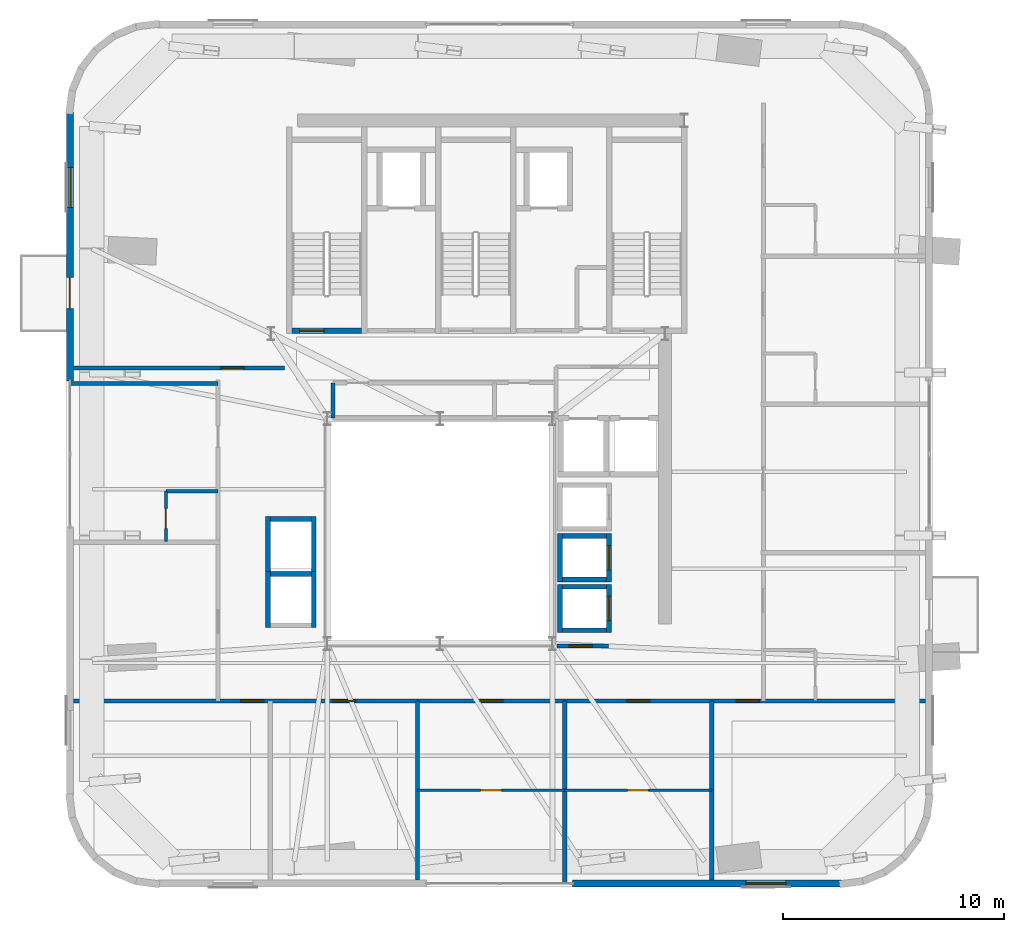
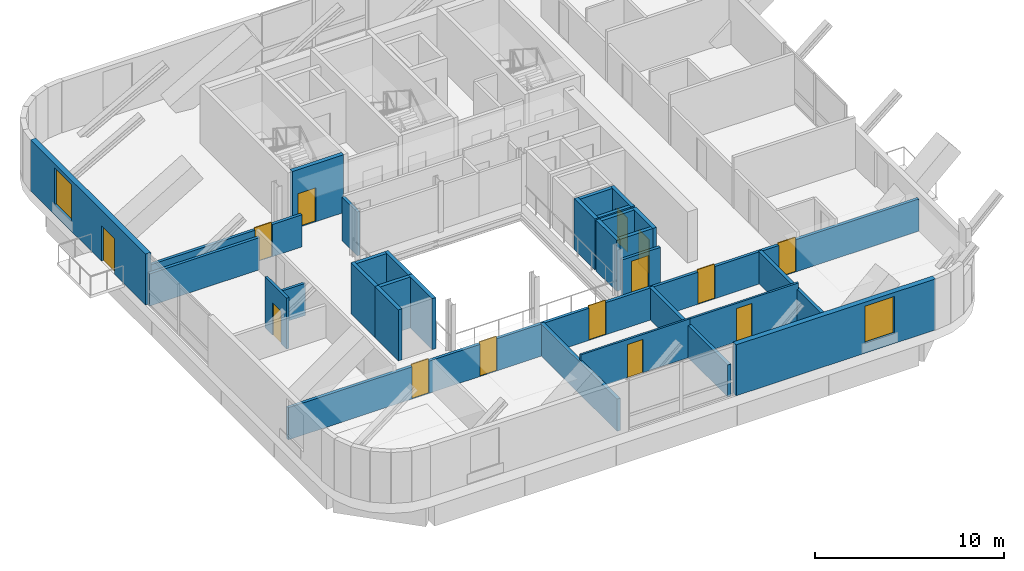
# One storey, part 6 of 12: 29 walls, 14 doors, 2 windows, 16 openings.
"""IFC4 building model written with IfcOpenShell, lengths in metres."""

from ifc_helpers import new_model, si_unit, direction, frame, frame_2d, origin, place, context, subcontext, project, spatial, rectangle, extrude, source, transform, mapped, material, layer, layer_set, type_object, element, fill, save


model = new_model("IFC4")

# Units and contexts
model_context = context("Model", 3, precision=1e-05, world=origin(), true_north=direction((0.0, 1.0)))
body_context = subcontext(model_context, "Body", "Model", "MODEL_VIEW")
ifc_project = project(units=[si_unit("LENGTHUNIT", "METRE"), si_unit("AREAUNIT", "SQUARE_METRE"), si_unit("VOLUMEUNIT", "CUBIC_METRE"), si_unit("PLANEANGLEUNIT", "RADIAN"), si_unit("MASSUNIT", "GRAM", prefix="KILO")], contexts=[model_context])

# Site, building, storey
site_placement = place(None, origin())
site = spatial("IfcSite", under=ifc_project, at=site_placement, CompositionType="ELEMENT")
building_placement = place(site_placement, origin())
building = spatial("IfcBuilding", under=site, at=building_placement, Name="Vardaveli Station Tower", CompositionType="ELEMENT")
storey_placement = place(building_placement, frame((0.0, 0.0, 282.199951171875)))
storey = spatial("IfcBuildingStorey", under=building, at=storey_placement, Name="L72", CompositionType="ELEMENT", Elevation=282.199951171875)

# Wall, opening, window
ifc_material_1 = material(Name="Precast concrete C45/55", Category="concrete")
ifc_layer_1 = layer(ifc_material_1, 0.320068359375, Name="Precast concrete C45/55")
ifc_layer_set_1 = layer_set([ifc_layer_1], Name="Precast concrete C45/55")
wall_type_1 = type_object("IfcWallType", Name="WAL-EXT-STONE-320", PredefinedType="SOLIDWALL", material=ifc_layer_set_1)
shared_shape_1 = source(origin(), body_context, "Body", "SweptSolid", [
    extrude(rectangle(XDim=12.199951171875, YDim=0.320068359375, at=frame_2d((6.10009765625, 0.0))), origin(), (0.0, 0.0, 1.0), 3.300048828125),
])
wall_1_placement = place(storey_placement, frame((42.300048828125, 5.739990234375, 0.0), z_axis=(0.0, 0.0, 1.0), x_axis=(1.0, 0.0, 0.0)))
wall_1 = element("IfcWall", 1, at=wall_1_placement, inside=storey, type_object=wall_type_1, Name="EW-L72-S2", PredefinedType="SOLIDWALL", context=body_context, shape_type="MappedRepresentation", body=[
    mapped(shared_shape_1, transform((0.0, 0.0, 0.0), scale=1.0)),
])
shared_shape_2 = source(origin(), body_context, "Body", "SweptSolid", [
    extrude(rectangle(XDim=1.800048828125, YDim=2.39990234375, at=frame_2d((0.89990234375, 1.199951171875))), frame((0.0, 0.169921875, 0.0), z_axis=(0.0, -1.0, 0.0), x_axis=(1.0, 0.0, 0.0)), (0.0, 0.0, 1.0), 0.340087890625),
])
opening_1_placement = place(wall_1_placement, frame((7.875, 0.0, 0.639892578125)))
opening_1 = element("IfcOpeningElement", 2, at=opening_1_placement, cuts=wall_1, Name="Opening W-05", PredefinedType="OPENING", context=body_context, shape_type="MappedRepresentation", body=[
    mapped(shared_shape_2, transform((0.0, 0.0, 0.0), scale=1.0)),
])
ifc_material_2 = material(Name="Low-E solar-control glass", Category="glass")
window_type = type_object("IfcWindowType", Name="WIN-HIGH-1800x2400", PartitioningType="SINGLE_PANEL", PredefinedType="WINDOW", material=ifc_material_2)
shared_shape_3 = source(origin(), body_context, "Body", "SweptSolid", [
    extrude(rectangle(XDim=1.800048828125, YDim=2.39990234375, at=frame_2d((0.89990234375, 1.199951171875))), frame((0.0, 0.030029296875, 0.0), z_axis=(0.0, -1.0, 0.0), x_axis=(1.0, 0.0, 0.0)), (0.0, 0.0, 1.0), 0.06005859375),
])
window_1_placement = place(opening_1_placement, origin())
window_1 = element("IfcWindow", 3, at=window_1_placement, inside=storey, type_object=window_type, Name="WN-L72-S2", OverallHeight=2.39990234375, OverallWidth=1.800048828125, PartitioningType="SINGLE_PANEL", PredefinedType="WINDOW", context=body_context, shape_type="MappedRepresentation", body=[
    mapped(shared_shape_3, transform((0.0, 0.0, 0.0), scale=1.0)),
])
fill(opening_1, window_1)

# Wall, openings, door, window
wall_2_placement = place(storey_placement, frame((19.5400390625, 40.699951171875, 0.0), z_axis=(0.0, 0.0, 1.0), x_axis=(0.0, -1.0, 0.0)))
wall_2 = element("IfcWall", 4, at=wall_2_placement, inside=storey, type_object=wall_type_1, Name="EW-L72-W1", PredefinedType="SOLIDWALL", context=body_context, shape_type="MappedRepresentation", body=[
    mapped(shared_shape_1, transform((0.0, 0.0, 0.0), scale=1.0)),
])
shared_shape_4 = source(origin(), body_context, "Body", "SweptSolid", [
    extrude(rectangle(XDim=1.39990234375, YDim=2.300048828125, at=frame_2d((0.699951171875, 1.14990234375))), frame((0.0, 0.169921875, 0.0), z_axis=(0.0, -1.0, 0.0), x_axis=(1.0, 0.0, 0.0)), (0.0, 0.0, 1.0), 0.340087890625),
])
opening_2_placement = place(wall_2_placement, frame((7.51611328125, 0.0, 0.0)))
opening_2 = element("IfcOpeningElement", 5, at=opening_2_placement, cuts=wall_2, Name="Opening D-09", PredefinedType="OPENING", context=body_context, shape_type="MappedRepresentation", body=[
    mapped(shared_shape_4, transform((0.0, 0.0, 0.0), scale=1.0)),
])
opening_3_placement = place(wall_2_placement, frame((2.52490234375, 0.0, 0.639892578125)))
opening_3 = element("IfcOpeningElement", 6, at=opening_3_placement, cuts=wall_2, Name="Opening W-05", PredefinedType="OPENING", context=body_context, shape_type="MappedRepresentation", body=[
    mapped(shared_shape_2, transform((0.0, 0.0, 0.0), scale=1.0)),
])
ifc_material_3 = material(Name="Thermally broken aluminium glass", Category="aluminium")
door_type_1 = type_object("IfcDoorType", Name="DR-LOG-1400x2300", OperationType="DOUBLE_DOOR_SLIDING", PredefinedType="DOOR", material=ifc_material_3)
shared_shape_5 = source(origin(), body_context, "Body", "SweptSolid", [
    extrude(rectangle(XDim=1.39990234375, YDim=2.300048828125, at=frame_2d((0.699951171875, 1.14990234375))), frame((0.0, 0.02490234375, 0.0), z_axis=(0.0, -1.0, 0.0), x_axis=(1.0, 0.0, 0.0)), (0.0, 0.0, 1.0), 0.050048828125),
])
door_1_placement = place(opening_2_placement, frame((1.39990234375, 0.0, 0.0), z_axis=(0.0, 0.0, 1.0), x_axis=(-1.0, 0.0, 0.0)))
door_1 = element("IfcDoor", 7, at=door_1_placement, inside=storey, type_object=door_type_1, Name="DLG-L72-W", OperationType="DOUBLE_DOOR_SLIDING", OverallHeight=2.300048828125, OverallWidth=1.39990234375, PredefinedType="DOOR", context=body_context, shape_type="MappedRepresentation", body=[
    mapped(shared_shape_5, transform((0.0, 0.0, 0.0), scale=1.0)),
])
fill(opening_2, door_1)
window_2_placement = place(opening_3_placement, origin())
window_2 = element("IfcWindow", 8, at=window_2_placement, inside=storey, type_object=window_type, Name="WN-L72-W1", OverallHeight=2.39990234375, OverallWidth=1.800048828125, PartitioningType="SINGLE_PANEL", PredefinedType="WINDOW", context=body_context, shape_type="MappedRepresentation", body=[
    mapped(shared_shape_3, transform((0.0, 0.0, 0.0), scale=1.0)),
])
fill(opening_3, window_2)

# Wall, opening, door
ifc_material_4 = material(Name="Concrete C40/50", Category="concrete")
ifc_layer_2 = layer(ifc_material_4, 0.25, Name="Concrete C40/50")
ifc_layer_set_2 = layer_set([ifc_layer_2], Name="Concrete C40/50")
wall_type_2 = type_object("IfcWallType", Name="WAL-SHAFT-250", PredefinedType="SOLIDWALL", material=ifc_layer_set_2)
shared_shape_6 = source(origin(), body_context, "Body", "SweptSolid", [
    extrude(rectangle(XDim=3.14990234375, YDim=0.25, at=frame_2d((1.574951171875, 0.0))), origin(), (0.0, 0.0, 1.0), 3.75),
])
wall_3_placement = place(storey_placement, frame((29.60009765625, 30.77490234375, 0.0), z_axis=(0.0, 0.0, 1.0), x_axis=(1.0, 0.0, 0.0)))
wall_3 = element("IfcWall", 9, at=wall_3_placement, inside=storey, type_object=wall_type_2, Name="W-L72-ST-1S", PredefinedType="SOLIDWALL", context=body_context, shape_type="MappedRepresentation", body=[
    mapped(shared_shape_6, transform((0.0, 0.0, 0.0), scale=1.0)),
])
shared_shape_7 = source(origin(), body_context, "Body", "SweptSolid", [
    extrude(rectangle(XDim=1.10009765625, YDim=2.199951171875, at=frame_2d((0.550048828125, 1.10009765625))), frame((0.0, 0.135009765625, 0.0), z_axis=(0.0, -1.0, 0.0), x_axis=(1.0, 0.0, 0.0)), (0.0, 0.0, 1.0), 0.27001953125),
])
opening_4_placement = place(wall_3_placement, frame((0.35009765625, 0.0, 0.0)))
opening_4 = element("IfcOpeningElement", 10, at=opening_4_placement, cuts=wall_3, Name="Opening D-04", PredefinedType="OPENING", context=body_context, shape_type="MappedRepresentation", body=[
    mapped(shared_shape_7, transform((0.0, 0.0, 0.0), scale=1.0)),
])
ifc_material_5 = material(Name="Steel smokeproof fire doorset", Category="steel")
door_type_2 = type_object("IfcDoorType", Name="DR-ST-1100x2200", OperationType="NOTDEFINED", PredefinedType="DOOR", material=ifc_material_5)
shared_shape_8 = source(origin(), body_context, "Body", "SweptSolid", [
    extrude(rectangle(XDim=1.10009765625, YDim=2.199951171875, at=frame_2d((0.550048828125, 1.10009765625))), frame((0.0, 0.02490234375, 0.0), z_axis=(0.0, -1.0, 0.0), x_axis=(1.0, 0.0, 0.0)), (0.0, 0.0, 1.0), 0.050048828125),
])
door_2_placement = place(opening_4_placement, origin())
door_2 = element("IfcDoor", 11, at=door_2_placement, inside=storey, type_object=door_type_2, Name="DST-1-L72", OperationType="SINGLE_SWING_LEFT", OverallHeight=2.199951171875, OverallWidth=1.10009765625, PredefinedType="DOOR", context=body_context, shape_type="MappedRepresentation", body=[
    mapped(shared_shape_8, transform((0.0, 0.0, 0.0), scale=1.0)),
])
fill(opening_4, door_2)

# Walls
ifc_layer_3 = layer(ifc_material_4, 0.219970703125, Name="Concrete C40/50")
ifc_layer_set_3 = layer_set([ifc_layer_3], Name="Concrete C40/50")
wall_type_3 = type_object("IfcWallType", Name="WAL-FFLOBBY-220", PredefinedType="SOLIDWALL", material=ifc_layer_set_3)
shared_shape_9 = source(origin(), body_context, "Body", "SweptSolid", [
    extrude(rectangle(XDim=2.0, YDim=0.219970703125, at=frame_2d((1.0, 0.0))), origin(), (0.0, 0.0, 1.0), 3.300048828125),
])
for number, where, z_axis, x_axis, name in (
    (12, (41.85009765625, 19.514892578125, 0.0), (0.0, 0.0, 1.0), (1.0, 0.0, 0.0), "SHW-HL3-02-L72-S"),
    (13, (41.85009765625, 21.485107421875, 0.0), (0.0, 0.0, 1.0), (1.0, 0.0, 0.0), "SHW-HL3-02-L72-N"),
    (14, (41.85009765625, 17.215087890625, 0.0), (0.0, 0.0, 1.0), (1.0, 0.0, 0.0), "SHW-HL3-03-L72-S"),
    (15, (41.85009765625, 19.18505859375, 0.0), (0.0, 0.0, 1.0), (1.0, 0.0, 0.0), "SHW-HL3-03-L72-N"),
):
    element("IfcWall", number, at=place(storey_placement, frame(where, z_axis=z_axis, x_axis=x_axis)), inside=storey, type_object=wall_type_3, Name=name, PredefinedType="SOLIDWALL", context=body_context, shape_type="MappedRepresentation", body=[
        mapped(shared_shape_9, transform((0.0, 0.0, 0.0), scale=1.0)),
    ])
shared_shape_10 = source(origin(), body_context, "Body", "SweptSolid", [
    extrude(rectangle(XDim=2.18994140625, YDim=0.219970703125, at=frame_2d((1.094970703125, 0.0))), origin(), (0.0, 0.0, 1.0), 3.300048828125),
])
wall_4_placement = place(storey_placement, frame((41.739990234375, 19.405029296875, 0.0), z_axis=(0.0, 0.0, 1.0), x_axis=(0.0, 1.0, 0.0)))
element("IfcWall", 16, at=wall_4_placement, inside=storey, type_object=wall_type_3, Name="SHW-HL3-02-L72-W", PredefinedType="SOLIDWALL", context=body_context, shape_type="MappedRepresentation", body=[
    mapped(shared_shape_10, transform((0.0, 0.0, 0.0), scale=1.0)),
])

# Wall, opening, door
wall_5_placement = place(storey_placement, frame((43.9599609375, 19.405029296875, 0.0), z_axis=(0.0, 0.0, 1.0), x_axis=(0.0, 1.0, 0.0)))
wall_5 = element("IfcWall", 17, at=wall_5_placement, inside=storey, type_object=wall_type_3, Name="SHW-HL3-02-L72-E", PredefinedType="SOLIDWALL", context=body_context, shape_type="MappedRepresentation", body=[
    mapped(shared_shape_10, transform((0.0, 0.0, 0.0), scale=1.0)),
])
shared_shape_11 = source(origin(), body_context, "Body", "SweptSolid", [
    extrude(rectangle(XDim=1.10009765625, YDim=2.199951171875, at=frame_2d((0.550048828125, 1.10009765625))), frame((0.0, 0.1201171875, 0.0), z_axis=(0.0, -1.0, 0.0), x_axis=(1.0, 0.0, 0.0)), (0.0, 0.0, 1.0), 0.239990234375),
])
opening_5_placement = place(wall_5_placement, frame((0.544921875, 0.0, 0.0)))
opening_5 = element("IfcOpeningElement", 18, at=opening_5_placement, cuts=wall_5, Name="Opening LD-01", PredefinedType="OPENING", context=body_context, shape_type="MappedRepresentation", body=[
    mapped(shared_shape_11, transform((0.0, 0.0, 0.0), scale=1.0)),
])
ifc_material_6 = material(Name="Brushed stainless steel", Category="steel")
door_type_3 = type_object("IfcDoorType", Name="DR-LD-1100x2200", OperationType="DOUBLE_DOOR_SLIDING", PredefinedType="DOOR", material=ifc_material_6)
door_3_placement = place(opening_5_placement, origin())
door_3 = element("IfcDoor", 19, at=door_3_placement, inside=storey, type_object=door_type_3, Name="LD-HL3-02-L72", OperationType="DOUBLE_DOOR_SLIDING", OverallHeight=2.199951171875, OverallWidth=1.10009765625, PredefinedType="DOOR", context=body_context, shape_type="MappedRepresentation", body=[
    mapped(shared_shape_8, transform((0.0, 0.0, 0.0), scale=1.0)),
])
fill(opening_5, door_3)

# Wall
wall_6_placement = place(storey_placement, frame((41.739990234375, 17.10498046875, 0.0), z_axis=(0.0, 0.0, 1.0), x_axis=(0.0, 1.0, 0.0)))
element("IfcWall", 20, at=wall_6_placement, inside=storey, type_object=wall_type_3, Name="SHW-HL3-03-L72-W", PredefinedType="SOLIDWALL", context=body_context, shape_type="MappedRepresentation", body=[
    mapped(shared_shape_10, transform((0.0, 0.0, 0.0), scale=1.0)),
])

# Wall, opening, door
wall_7_placement = place(storey_placement, frame((43.9599609375, 17.10498046875, 0.0), z_axis=(0.0, 0.0, 1.0), x_axis=(0.0, 1.0, 0.0)))
wall_7 = element("IfcWall", 21, at=wall_7_placement, inside=storey, type_object=wall_type_3, Name="SHW-HL3-03-L72-E", PredefinedType="SOLIDWALL", context=body_context, shape_type="MappedRepresentation", body=[
    mapped(shared_shape_10, transform((0.0, 0.0, 0.0), scale=1.0)),
])
opening_6_placement = place(wall_7_placement, frame((0.544921875, 0.0, 0.0)))
opening_6 = element("IfcOpeningElement", 22, at=opening_6_placement, cuts=wall_7, Name="Opening LD-01", PredefinedType="OPENING", context=body_context, shape_type="MappedRepresentation", body=[
    mapped(shared_shape_11, transform((0.0, 0.0, 0.0), scale=1.0)),
])
door_4_placement = place(opening_6_placement, origin())
door_4 = element("IfcDoor", 23, at=door_4_placement, inside=storey, type_object=door_type_3, Name="LD-HL3-03-L72", OperationType="DOUBLE_DOOR_SLIDING", OverallHeight=2.199951171875, OverallWidth=1.10009765625, PredefinedType="DOOR", context=body_context, shape_type="MappedRepresentation", body=[
    mapped(shared_shape_8, transform((0.0, 0.0, 0.0), scale=1.0)),
])
fill(opening_6, door_4)

# Walls
shared_shape_12 = source(origin(), body_context, "Body", "SweptSolid", [
    extrude(rectangle(XDim=1.85009765625, YDim=0.219970703125, at=frame_2d((0.925048828125, 0.0))), origin(), (0.0, 0.0, 1.0), 3.300048828125),
])
for number, where, z_axis, x_axis, name in (
    (24, (28.625, 19.760009765625, 0.0), (0.0, 0.0, 1.0), (1.0, 0.0, 0.0), "SHW-OBS-01-L72-N"),
    (25, (28.625, 22.260009765625, 0.0), (0.0, 0.0, 1.0), (1.0, 0.0, 0.0), "SHW-OBS-02-L72-N"),
):
    element("IfcWall", number, at=place(storey_placement, frame(where, z_axis=z_axis, x_axis=x_axis)), inside=storey, type_object=wall_type_3, Name=name, PredefinedType="SOLIDWALL", context=body_context, shape_type="MappedRepresentation", body=[
        mapped(shared_shape_12, transform((0.0, 0.0, 0.0), scale=1.0)),
    ])
shared_shape_13 = source(origin(), body_context, "Body", "SweptSolid", [
    extrude(rectangle(XDim=2.5400390625, YDim=0.219970703125, at=frame_2d((1.27001953125, 0.0))), origin(), (0.0, 0.0, 1.0), 3.300048828125),
])
for number, where, z_axis, x_axis, name in (
    (26, (28.514892578125, 17.330078125, 0.0), (0.0, 0.0, 1.0), (0.0, 1.0, 0.0), "SHW-OBS-01-L72-W"),
    (27, (30.5849609375, 17.330078125, 0.0), (0.0, 0.0, 1.0), (0.0, 1.0, 0.0), "SHW-OBS-01-L72-E"),
    (28, (28.514892578125, 19.830078125, 0.0), (0.0, 0.0, 1.0), (0.0, 1.0, 0.0), "SHW-OBS-02-L72-W"),
    (29, (30.5849609375, 19.830078125, 0.0), (0.0, 0.0, 1.0), (0.0, 1.0, 0.0), "SHW-OBS-02-L72-E"),
):
    element("IfcWall", number, at=place(storey_placement, frame(where, z_axis=z_axis, x_axis=x_axis)), inside=storey, type_object=wall_type_3, Name=name, PredefinedType="SOLIDWALL", context=body_context, shape_type="MappedRepresentation", body=[
        mapped(shared_shape_13, transform((0.0, 0.0, 0.0), scale=1.0)),
    ])

# Wall, opening, door
ifc_material_7 = material(Name="Moisture-resistant stud partition")
ifc_layer_4 = layer(ifc_material_7, 0.14990234375, Name="Moisture-resistant stud partition")
ifc_layer_set_4 = layer_set([ifc_layer_4], Name="Moisture-resistant stud partition")
wall_type_4 = type_object("IfcWallType", Name="WAL-WET-150", PredefinedType="PARTITIONING", material=ifc_layer_set_4)
shared_shape_14 = source(origin(), body_context, "Body", "SweptSolid", [
    extrude(rectangle(XDim=2.289794921875, YDim=0.14990234375, at=frame_2d((1.14501953125, 0.0))), origin(), (0.0, 0.0, 1.0), 3.300048828125),
])
wall_8_placement = place(storey_placement, frame((23.889892578125, 21.22509765625, 0.0), z_axis=(0.0, 0.0, 1.0), x_axis=(0.0, 1.0, 0.0)))
wall_8 = element("IfcWall", 30, at=wall_8_placement, inside=storey, type_object=wall_type_4, Name="W-L72-BW2-W", PredefinedType="PARTITIONING", context=body_context, shape_type="MappedRepresentation", body=[
    mapped(shared_shape_14, transform((0.0, 0.0, 0.0), scale=1.0)),
])
shared_shape_15 = source(origin(), body_context, "Body", "SweptSolid", [
    extrude(rectangle(XDim=0.89990234375, YDim=2.10009765625, at=frame_2d((0.449951171875, 1.050048828125))), frame((0.0, 0.0849609375, 0.0), z_axis=(0.0, -1.0, 0.0), x_axis=(1.0, 0.0, 0.0)), (0.0, 0.0, 1.0), 0.169921875),
])
opening_7_placement = place(wall_8_placement, frame((0.60009765625, 0.0, 0.0)))
opening_7 = element("IfcOpeningElement", 31, at=opening_7_placement, cuts=wall_8, Name="Opening D-08", PredefinedType="OPENING", context=body_context, shape_type="MappedRepresentation", body=[
    mapped(shared_shape_15, transform((0.0, 0.0, 0.0), scale=1.0)),
])
ifc_material_8 = material(Name="Moisture-resistant oak door")
door_type_4 = type_object("IfcDoorType", Name="DR-BATH-900x2100", OperationType="NOTDEFINED", PredefinedType="DOOR", material=ifc_material_8)
shared_shape_16 = source(origin(), body_context, "Body", "SweptSolid", [
    extrude(rectangle(XDim=0.89990234375, YDim=2.10009765625, at=frame_2d((0.449951171875, 1.050048828125))), frame((0.0, 0.02490234375, 0.0), z_axis=(0.0, -1.0, 0.0), x_axis=(1.0, 0.0, 0.0)), (0.0, 0.0, 1.0), 0.050048828125),
])
door_5_placement = place(opening_7_placement, origin())
door_5 = element("IfcDoor", 32, at=door_5_placement, inside=storey, type_object=door_type_4, Name="D-L72-BW2", OperationType="SINGLE_SWING_RIGHT", OverallHeight=2.10009765625, OverallWidth=0.89990234375, PredefinedType="DOOR", context=body_context, shape_type="MappedRepresentation", body=[
    mapped(shared_shape_16, transform((0.0, 0.0, 0.0), scale=1.0)),
])
fill(opening_7, door_5)

# Wall
ifc_material_9 = material(Name="Fire-rated gypsum stud partition")
ifc_layer_5 = layer(ifc_material_9, 0.179931640625, Name="Fire-rated gypsum stud partition")
ifc_layer_set_5 = layer_set([ifc_layer_5], Name="Fire-rated gypsum stud partition")
wall_type_5 = type_object("IfcWallType", Name="WAL-CORR-180", PredefinedType="PARTITIONING", material=ifc_layer_set_5)
shared_shape_17 = source(origin(), body_context, "Body", "SweptSolid", [
    extrude(rectangle(XDim=1.599853515625, YDim=0.179931640625, at=frame_2d((0.7998046875, 0.0))), origin(), (0.0, 0.0, 1.0), 2.842041015625),
])
wall_9_placement = place(storey_placement, frame((31.449951171875, 26.820068359375, 0.0), z_axis=(0.0, 0.0, 1.0), x_axis=(0.0, 1.0, 0.0)))
element("IfcWall", 33, at=wall_9_placement, inside=storey, type_object=wall_type_5, Name="W-L72-HKP0-W", PredefinedType="PARTITIONING", context=body_context, shape_type="MappedRepresentation", body=[
    mapped(shared_shape_17, transform((0.0, 0.0, 0.0), scale=1.0)),
])

# Wall, openings, doors
shared_shape_18 = source(origin(), body_context, "Body", "SweptSolid", [
    extrude(rectangle(XDim=38.59619140625, YDim=0.179931640625, at=frame_2d((19.298095703125, 0.0))), origin(), (0.0, 0.0, 1.0), 2.080078125),
])
wall_10_placement = place(storey_placement, frame((19.701904296875, 14.010009765625, 0.0), z_axis=(0.0, 0.0, 1.0), x_axis=(1.0, 0.0, 0.0)))
wall_10 = element("IfcWall", 34, at=wall_10_placement, inside=storey, type_object=wall_type_5, Name="W-L72-CS", PredefinedType="PARTITIONING", context=body_context, shape_type="MappedRepresentation", body=[
    mapped(shared_shape_18, transform((0.0, 0.0, 0.0), scale=1.0)),
])
shared_shape_19 = source(origin(), body_context, "Body", "SweptSolid", [
    extrude(rectangle(XDim=1.050048828125, YDim=2.199951171875, at=frame_2d((0.52490234375, 1.10009765625))), frame((0.0, 0.10009765625, 0.0), z_axis=(0.0, -1.0, 0.0), x_axis=(1.0, 0.0, 0.0)), (0.0, 0.0, 1.0), 0.199951171875),
])
opening_8_placement = place(wall_10_placement, frame((7.568115234375, 0.0, 0.0)))
opening_8 = element("IfcOpeningElement", 35, at=opening_8_placement, cuts=wall_10, Name="Opening D-05", PredefinedType="OPENING", context=body_context, shape_type="MappedRepresentation", body=[
    mapped(shared_shape_19, transform((0.0, 0.0, 0.0), scale=1.0)),
])
opening_9_placement = place(wall_10_placement, frame((11.7314453125, 0.0, 0.0)))
opening_9 = element("IfcOpeningElement", 36, at=opening_9_placement, cuts=wall_10, Name="Opening D-05", PredefinedType="OPENING", context=body_context, shape_type="MappedRepresentation", body=[
    mapped(shared_shape_19, transform((0.0, 0.0, 0.0), scale=1.0)),
])
opening_10_placement = place(wall_10_placement, frame((18.39794921875, 0.0, 0.0)))
opening_10 = element("IfcOpeningElement", 37, at=opening_10_placement, cuts=wall_10, Name="Opening D-05", PredefinedType="OPENING", context=body_context, shape_type="MappedRepresentation", body=[
    mapped(shared_shape_19, transform((0.0, 0.0, 0.0), scale=1.0)),
])
opening_11_placement = place(wall_10_placement, frame((25.064697265625, 0.0, 0.0)))
opening_11 = element("IfcOpeningElement", 38, at=opening_11_placement, cuts=wall_10, Name="Opening D-05", PredefinedType="OPENING", context=body_context, shape_type="MappedRepresentation", body=[
    mapped(shared_shape_19, transform((0.0, 0.0, 0.0), scale=1.0)),
])
opening_12_placement = place(wall_10_placement, frame((30.01806640625, 0.0, 0.0)))
opening_12 = element("IfcOpeningElement", 39, at=opening_12_placement, cuts=wall_10, Name="Opening D-05", PredefinedType="OPENING", context=body_context, shape_type="MappedRepresentation", body=[
    mapped(shared_shape_19, transform((0.0, 0.0, 0.0), scale=1.0)),
])
ifc_material_10 = material(Name="Walnut veneer acoustic fire door")
door_type_5 = type_object("IfcDoorType", Name="DR-SUITE-1050x2200", OperationType="NOTDEFINED", PredefinedType="DOOR", material=ifc_material_10)
shared_shape_20 = source(origin(), body_context, "Body", "SweptSolid", [
    extrude(rectangle(XDim=1.050048828125, YDim=2.199951171875, at=frame_2d((0.52490234375, 1.10009765625))), frame((0.0, 0.02490234375, 0.0), z_axis=(0.0, -1.0, 0.0), x_axis=(1.0, 0.0, 0.0)), (0.0, 0.0, 1.0), 0.050048828125),
])
door_6_placement = place(opening_8_placement, origin())
door_6 = element("IfcDoor", 40, at=door_6_placement, inside=storey, type_object=door_type_5, Name="D-L72-SA1", OperationType="SINGLE_SWING_RIGHT", OverallHeight=2.199951171875, OverallWidth=1.050048828125, PredefinedType="DOOR", context=body_context, shape_type="MappedRepresentation", body=[
    mapped(shared_shape_20, transform((0.0, 0.0, 0.0), scale=1.0)),
])
fill(opening_8, door_6)
door_7_placement = place(opening_9_placement, origin())
door_7 = element("IfcDoor", 41, at=door_7_placement, inside=storey, type_object=door_type_5, Name="D-L72-SA2", OperationType="SINGLE_SWING_LEFT", OverallHeight=2.199951171875, OverallWidth=1.050048828125, PredefinedType="DOOR", context=body_context, shape_type="MappedRepresentation", body=[
    mapped(shared_shape_20, transform((0.0, 0.0, 0.0), scale=1.0)),
])
fill(opening_9, door_7)
door_8_placement = place(opening_10_placement, origin())
door_8 = element("IfcDoor", 42, at=door_8_placement, inside=storey, type_object=door_type_5, Name="D-L72-SCB3", OperationType="SINGLE_SWING_RIGHT", OverallHeight=2.199951171875, OverallWidth=1.050048828125, PredefinedType="DOOR", context=body_context, shape_type="MappedRepresentation", body=[
    mapped(shared_shape_20, transform((0.0, 0.0, 0.0), scale=1.0)),
])
fill(opening_10, door_8)
door_9_placement = place(opening_11_placement, origin())
door_9 = element("IfcDoor", 43, at=door_9_placement, inside=storey, type_object=door_type_5, Name="D-L72-SCB4", OperationType="SINGLE_SWING_LEFT", OverallHeight=2.199951171875, OverallWidth=1.050048828125, PredefinedType="DOOR", context=body_context, shape_type="MappedRepresentation", body=[
    mapped(shared_shape_20, transform((0.0, 0.0, 0.0), scale=1.0)),
])
fill(opening_11, door_9)
door_10_placement = place(opening_12_placement, origin())
door_10 = element("IfcDoor", 44, at=door_10_placement, inside=storey, type_object=door_type_5, Name="D-L72-SA5", OperationType="SINGLE_SWING_RIGHT", OverallHeight=2.199951171875, OverallWidth=1.050048828125, PredefinedType="DOOR", context=body_context, shape_type="MappedRepresentation", body=[
    mapped(shared_shape_20, transform((0.0, 0.0, 0.0), scale=1.0)),
])
fill(opening_12, door_10)

# Wall, opening, door
shared_shape_21 = source(origin(), body_context, "Body", "SweptSolid", [
    extrude(rectangle(XDim=9.548095703125, YDim=0.179931640625, at=frame_2d((4.77392578125, 0.0))), origin(), (0.0, 0.0, 1.0), 2.080078125),
])
wall_11_placement = place(storey_placement, frame((19.701904296875, 29.10009765625, 0.0), z_axis=(0.0, 0.0, 1.0), x_axis=(1.0, 0.0, 0.0)))
wall_11 = element("IfcWall", 45, at=wall_11_placement, inside=storey, type_object=wall_type_5, Name="W-L72-CNWS", PredefinedType="PARTITIONING", context=body_context, shape_type="MappedRepresentation", body=[
    mapped(shared_shape_21, transform((0.0, 0.0, 0.0), scale=1.0)),
])
opening_13_placement = place(wall_11_placement, frame((6.677978515625, 0.0, 0.0)))
opening_13 = element("IfcOpeningElement", 46, at=opening_13_placement, cuts=wall_11, Name="Opening D-05", PredefinedType="OPENING", context=body_context, shape_type="MappedRepresentation", body=[
    mapped(shared_shape_19, transform((0.0, 0.0, 0.0), scale=1.0)),
])
door_11_placement = place(opening_13_placement, origin())
door_11 = element("IfcDoor", 47, at=door_11_placement, inside=storey, type_object=door_type_5, Name="D-L72-GNW1", OperationType="SINGLE_SWING_RIGHT", OverallHeight=2.199951171875, OverallWidth=1.050048828125, PredefinedType="DOOR", context=body_context, shape_type="MappedRepresentation", body=[
    mapped(shared_shape_20, transform((0.0, 0.0, 0.0), scale=1.0)),
])
fill(opening_13, door_11)

ifc_material_11 = material(Name="Gypsum board stud partition")
ifc_layer_6 = layer(ifc_material_11, 0.125, Name="Gypsum board stud partition")
ifc_layer_set_6 = layer_set([ifc_layer_6], Name="Gypsum board stud partition")
wall_type_6 = type_object("IfcWallType", Name="WAL-INT-125", PredefinedType="PARTITIONING", material=ifc_layer_set_6)
shared_shape_22 = source(origin(), body_context, "Body", "SweptSolid", [
    extrude(rectangle(XDim=6.667236328125, YDim=0.125, at=frame_2d((3.33349609375, 0.0))), origin(), (0.0, 0.0, 1.0), 2.47802734375),
])
wall_12_placement = place(storey_placement, frame((41.952880859375, 9.969970703125, 0.0), z_axis=(0.0, 0.0, 1.0), x_axis=(1.0, 0.0, 0.0)))
wall_12 = element("IfcWall", 48, at=wall_12_placement, inside=storey, type_object=wall_type_6, Name="W-L72-SCM4", PredefinedType="PARTITIONING", context=body_context, shape_type="MappedRepresentation", body=[
    mapped(shared_shape_22, transform((0.0, 0.0, 0.0), scale=1.0)),
])
shared_shape_23 = source(origin(), body_context, "Body", "SweptSolid", [
    extrude(rectangle(XDim=0.949951171875, YDim=2.14990234375, at=frame_2d((0.47509765625, 1.074951171875))), frame((0.0, 0.072509765625, 0.0), z_axis=(0.0, -1.0, 0.0), x_axis=(1.0, 0.0, 0.0)), (0.0, 0.0, 1.0), 0.14501953125),
])
opening_14_placement = place(wall_12_placement, frame((2.853271484375, 0.0, 0.0)))
opening_14 = element("IfcOpeningElement", 49, at=opening_14_placement, cuts=wall_12, Name="Opening D-11", PredefinedType="OPENING", context=body_context, shape_type="MappedRepresentation", body=[
    mapped(shared_shape_23, transform((0.0, 0.0, 0.0), scale=1.0)),
])
ifc_material_12 = material(Name="Oak veneer internal suite door")
door_type_6 = type_object("IfcDoorType", Name="DR-INT-950x2150", OperationType="NOTDEFINED", PredefinedType="DOOR", material=ifc_material_12)
shared_shape_24 = source(origin(), body_context, "Body", "SweptSolid", [
    extrude(rectangle(XDim=0.949951171875, YDim=2.14990234375, at=frame_2d((0.47509765625, 1.074951171875))), frame((0.0, 0.02490234375, 0.0), z_axis=(0.0, -1.0, 0.0), x_axis=(1.0, 0.0, 0.0)), (0.0, 0.0, 1.0), 0.050048828125),
])
door_12_placement = place(opening_14_placement, origin())
door_12 = element("IfcDoor", 50, at=door_12_placement, inside=storey, type_object=door_type_6, Name="D-L72-SCF4", OperationType="SINGLE_SWING_LEFT", OverallHeight=2.14990234375, OverallWidth=0.949951171875, PredefinedType="DOOR", context=body_context, shape_type="MappedRepresentation", body=[
    mapped(shared_shape_24, transform((0.0, 0.0, 0.0), scale=1.0)),
])
fill(opening_14, door_12)

shared_shape_25 = source(origin(), body_context, "Body", "SweptSolid", [
    extrude(rectangle(XDim=6.665771484375, YDim=0.125, at=frame_2d((3.3330078125, 0.0))), origin(), (0.0, 0.0, 1.0), 2.47802734375),
])
wall_13_placement = place(storey_placement, frame((35.287109375, 9.969970703125, 0.0), z_axis=(0.0, 0.0, 1.0), x_axis=(1.0, 0.0, 0.0)))
wall_13 = element("IfcWall", 51, at=wall_13_placement, inside=storey, type_object=wall_type_6, Name="W-L72-SCM3", PredefinedType="PARTITIONING", context=body_context, shape_type="MappedRepresentation", body=[
    mapped(shared_shape_25, transform((0.0, 0.0, 0.0), scale=1.0)),
])
opening_15_placement = place(wall_13_placement, frame((2.853271484375, 0.0, 0.0)))
opening_15 = element("IfcOpeningElement", 52, at=opening_15_placement, cuts=wall_13, Name="Opening D-11", PredefinedType="OPENING", context=body_context, shape_type="MappedRepresentation", body=[
    mapped(shared_shape_23, transform((0.0, 0.0, 0.0), scale=1.0)),
])
door_13_placement = place(opening_15_placement, origin())
door_13 = element("IfcDoor", 53, at=door_13_placement, inside=storey, type_object=door_type_6, Name="D-L72-SCF3", OperationType="SINGLE_SWING_RIGHT", OverallHeight=2.14990234375, OverallWidth=0.949951171875, PredefinedType="DOOR", context=body_context, shape_type="MappedRepresentation", body=[
    mapped(shared_shape_24, transform((0.0, 0.0, 0.0), scale=1.0)),
])
fill(opening_15, door_13)

shared_shape_26 = source(origin(), body_context, "Body", "SweptSolid", [
    extrude(rectangle(XDim=2.329833984375, YDim=0.179931640625, at=frame_2d((1.1650390625, 0.0))), origin(), (0.0, 0.0, 1.0), 2.47802734375),
])
wall_14_placement = place(storey_placement, frame((41.60009765625, 16.5, 0.0), z_axis=(0.0, 0.0, 1.0), x_axis=(1.0, 0.0, 0.0)))
wall_14 = element("IfcWall", 54, at=wall_14_placement, inside=storey, type_object=wall_type_5, Name="W-L72-ATE-S", PredefinedType="PARTITIONING", context=body_context, shape_type="MappedRepresentation", body=[
    mapped(shared_shape_26, transform((0.0, 0.0, 0.0), scale=1.0)),
])
opening_16_placement = place(wall_14_placement, frame((0.550048828125, 0.0, 0.0)))
opening_16 = element("IfcOpeningElement", 55, at=opening_16_placement, cuts=wall_14, Name="Opening D-05", PredefinedType="OPENING", context=body_context, shape_type="MappedRepresentation", body=[
    mapped(shared_shape_19, transform((0.0, 0.0, 0.0), scale=1.0)),
])
door_14_placement = place(opening_16_placement, origin())
door_14 = element("IfcDoor", 56, at=door_14_placement, inside=storey, type_object=door_type_5, Name="D-L72-ATE1", OperationType="SINGLE_SWING_RIGHT", OverallHeight=2.199951171875, OverallWidth=1.050048828125, PredefinedType="DOOR", context=body_context, shape_type="MappedRepresentation", body=[
    mapped(shared_shape_20, transform((0.0, 0.0, 0.0), scale=1.0)),
])
fill(opening_16, door_14)

# Walls
ifc_material_13 = material(Name="Acoustic twin-stud gypsum partition")
ifc_layer_7 = layer(ifc_material_13, 0.199951171875, Name="Acoustic twin-stud gypsum partition")
ifc_layer_set_7 = layer_set([ifc_layer_7], Name="Acoustic twin-stud gypsum partition")
wall_type_7 = type_object("IfcWallType", Name="WAL-PARTY-200", PredefinedType="PARTITIONING", material=ifc_layer_set_7)
shared_shape_27 = source(origin(), body_context, "Body", "SweptSolid", [
    extrude(rectangle(XDim=8.10791015625, YDim=0.199951171875, at=frame_2d((4.053955078125, 0.0))), origin(), (0.0, 0.0, 1.0), 2.080078125),
])
for number, where, z_axis, x_axis, name in (
    (57, (35.287109375, 5.902099609375, 0.0), (0.0, 0.0, 1.0), (0.0, 1.0, 0.0), "W-L72-PS2"),
    (58, (48.6201171875, 5.902099609375, 0.0), (0.0, 0.0, 1.0), (0.0, 1.0, 0.0), "W-L72-PS4"),
):
    element("IfcWall", number, at=place(storey_placement, frame(where, z_axis=z_axis, x_axis=x_axis)), inside=storey, type_object=wall_type_7, Name=name, PredefinedType="PARTITIONING", context=body_context, shape_type="MappedRepresentation", body=[
        mapped(shared_shape_27, transform((0.0, 0.0, 0.0), scale=1.0)),
    ])
shared_shape_28 = source(origin(), body_context, "Body", "SweptSolid", [
    extrude(rectangle(XDim=8.300048828125, YDim=0.199951171875, at=frame_2d((4.14990234375, 0.0))), origin(), (0.0, 0.0, 1.0), 2.080078125),
])
wall_15_placement = place(storey_placement, frame((41.952880859375, 5.7099609375, 0.0), z_axis=(0.0, 0.0, 1.0), x_axis=(0.0, 1.0, 0.0)))
element("IfcWall", 59, at=wall_15_placement, inside=storey, type_object=wall_type_7, Name="W-L72-PS3", PredefinedType="PARTITIONING", context=body_context, shape_type="MappedRepresentation", body=[
    mapped(shared_shape_28, transform((0.0, 0.0, 0.0), scale=1.0)),
])
shared_shape_29 = source(origin(), body_context, "Body", "SweptSolid", [
    extrude(rectangle(XDim=6.739990234375, YDim=0.179931640625, at=frame_2d((3.3701171875, 0.0))), origin(), (0.0, 0.0, 1.0), 2.080078125),
])
wall_16_placement = place(storey_placement, frame((19.510009765625, 28.39990234375, 0.0), z_axis=(0.0, 0.0, 1.0), x_axis=(1.0, 0.0, 0.0)))
element("IfcWall", 60, at=wall_16_placement, inside=storey, type_object=wall_type_5, Name="W-L72-CWN", PredefinedType="PARTITIONING", context=body_context, shape_type="MappedRepresentation", body=[
    mapped(shared_shape_29, transform((0.0, 0.0, 0.0), scale=1.0)),
])
shared_shape_30 = source(origin(), body_context, "Body", "SweptSolid", [
    extrude(rectangle(XDim=2.360107421875, YDim=0.14990234375, at=frame_2d((1.18017578125, 0.0))), origin(), (0.0, 0.0, 1.0), 2.080078125),
])
wall_17_placement = place(storey_placement, frame((23.889892578125, 23.514892578125, 0.0), z_axis=(0.0, 0.0, 1.0), x_axis=(1.0, 0.0, 0.0)))
element("IfcWall", 61, at=wall_17_placement, inside=storey, type_object=wall_type_4, Name="W-L72-BW2-N", PredefinedType="PARTITIONING", context=body_context, shape_type="MappedRepresentation", body=[
    mapped(shared_shape_30, transform((0.0, 0.0, 0.0), scale=1.0)),
])

save(model, "model.ifc")
